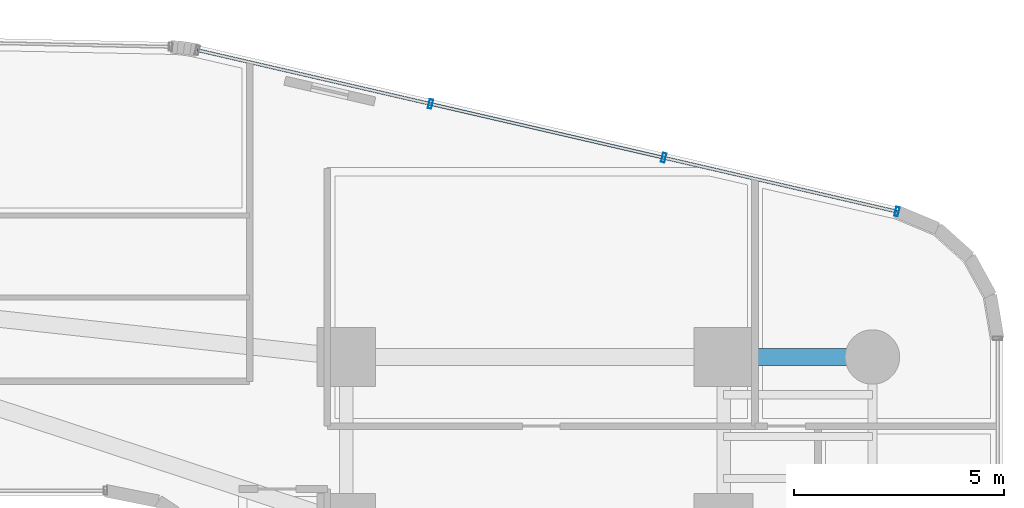
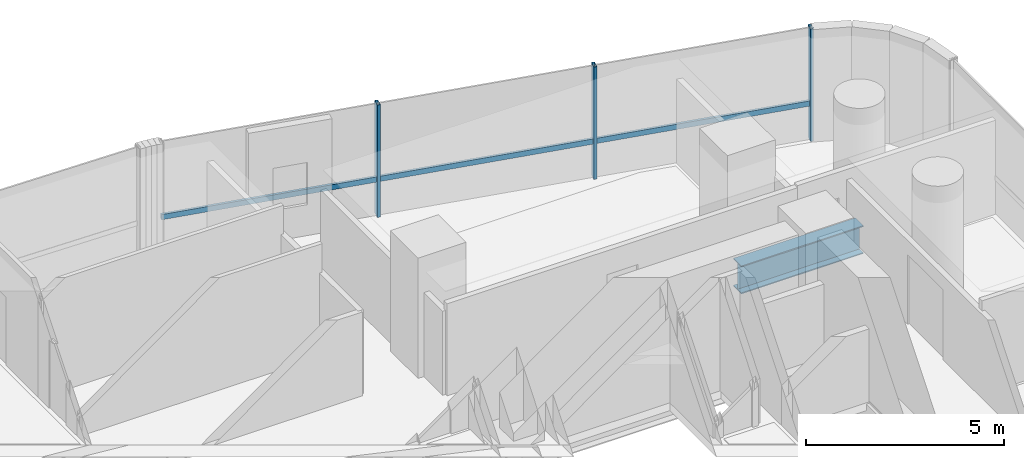
# One storey, part 25 of 41: 4 members, 1 beam, 1 element without a shape of its own.
"""IFC4 building model written with IfcOpenShell, lengths in metres."""

from ifc_helpers import new_model, si_unit, direction, frame, origin, origin_2d, place, context, subcontext, project, spatial, hollow_rectangle, i_section, extrude, source, transform, mapped, material, material_profile, profile_set, type_object, element, aggregate, save


model = new_model("IFC4")

# Units and contexts
model_context = context("Model", 3, precision=1e-05, world=origin(), true_north=direction((0.0, 1.0)))
body_context = subcontext(model_context, "Body", "Model", "MODEL_VIEW")
ifc_project = project(units=[si_unit("LENGTHUNIT", "METRE"), si_unit("AREAUNIT", "SQUARE_METRE"), si_unit("VOLUMEUNIT", "CUBIC_METRE"), si_unit("PLANEANGLEUNIT", "RADIAN"), si_unit("MASSUNIT", "GRAM", prefix="KILO")], contexts=[model_context])

# Site, building, storey
site_placement = place(None, origin())
site = spatial("IfcSite", under=ifc_project, at=site_placement, CompositionType="ELEMENT")
building_placement = place(site_placement, origin())
building = spatial("IfcBuilding", under=site, at=building_placement, Name="Valdorenza Pilgrim Sanctuary Tower", CompositionType="ELEMENT")
storey_placement = place(building_placement, frame((0.0, 0.0, 88.89990234375)))
storey = spatial("IfcBuildingStorey", under=building, at=storey_placement, Name="L22", CompositionType="ELEMENT", Elevation=88.89990234375)

# Beam
ifc_material_1 = material(Name="Steel ASTM A992 Grade 50", Category="steel")
ifc_material_profile_1 = material_profile(ifc_material_1, i_section(OverallWidth=0.39990234375, OverallDepth=0.862060546875, WebThickness=0.019775390625, FlangeThickness=0.032470703125, at=origin_2d()), Name="W33X221")
ifc_profile_set_1 = profile_set([ifc_material_profile_1], Name="Steel ASTM A992 Grade 50")
beam_type = type_object("IfcBeamType", Name="STR-BM-GRD-W33", PredefinedType="BEAM", material=ifc_profile_set_1)
shared_shape_1 = source(origin(), body_context, "Body", "SweptSolid", [
    extrude(i_section(OverallWidth=0.39990234375, OverallDepth=0.862060546875, WebThickness=0.019775390625, FlangeThickness=0.032470703125, at=origin_2d()), origin(), (0.0, 0.0, 1.0), 3.5498046875),
])
beam_placement = place(storey_placement, frame((24.85009765625, 13.5, -0.6708984375), z_axis=(1.0, 0.0, 0.0), x_axis=(0.0, 1.0, 0.0)))
element("IfcBeam", 1, at=beam_placement, inside=storey, type_object=beam_type, Name="L22 Floor Girder WB-XE-N2", PredefinedType="BEAM", context=body_context, shape_type="MappedRepresentation", body=[
    mapped(shared_shape_1, transform((0.0, 0.0, 0.0), x_axis=(1.0, 0.0, 0.0), y_axis=(0.0, 1.0, 0.0), z_axis=(0.0, 0.0, 1.0), scale=1.0)),
])

# Curtain wall, members
ifc_material_2 = material(Name="Curtain-wall IGU glazing", Category="glass")
curtain_wall_type = type_object("IfcCurtainWallType", Name="CW-SYS-03", PredefinedType="NOTDEFINED", material=ifc_material_2)
curtain_wall_placement = place(storey_placement, origin())
curtain_wall = element("IfcCurtainWall", 2, at=curtain_wall_placement, inside=storey, type_object=curtain_wall_type, Name="L22 Curtain Wall CW-L22-1-16", PredefinedType="NOTDEFINED")
ifc_material_3 = material(Name="Anodised aluminium AW-6060", Category="aluminium")
ifc_material_profile_2 = material_profile(ifc_material_3, hollow_rectangle(XDim=0.074951171875, YDim=0.159912109375, WallThickness=0.00390625, at=origin_2d()), Name="ALU-T 160x75x4")
ifc_profile_set_2 = profile_set([ifc_material_profile_2], Name="Anodised aluminium AW-6060")
member_type_1 = type_object("IfcMemberType", Name="CW-TRN-03", PredefinedType="USERDEFINED", material=ifc_profile_set_2)
shared_shape_2 = source(origin(), body_context, "Body", "SweptSolid", [
    extrude(hollow_rectangle(XDim=0.074951171875, YDim=0.159912109375, WallThickness=0.00390625, at=origin_2d()), origin(), (0.0, 0.0, 1.0), 17.125244140625),
])
member_1_placement = place(storey_placement, frame((12.299072265625, 20.818115234375, 1.1201171875), z_axis=(0.974390715149, -0.224861589051, 0.0), x_axis=(0.224861589051, 0.974390715149, 0.0)))
member_1 = element("IfcMember", 3, at=member_1_placement, type_object=member_type_1, Name="CW-L22-1-16 Transom 1", ObjectType="TRANSOM", PredefinedType="USERDEFINED", context=body_context, shape_type="MappedRepresentation", body=[
    mapped(shared_shape_2, transform((0.0, 0.0, 0.0), x_axis=(1.0, 0.0, 0.0), y_axis=(0.0, 1.0, 0.0), z_axis=(0.0, 0.0, 1.0), scale=1.0)),
])
ifc_material_profile_3 = material_profile(ifc_material_3, hollow_rectangle(XDim=0.0849609375, YDim=0.219970703125, WallThickness=0.0048828125, at=origin_2d()), Name="ALU-M 220x85x5")
ifc_profile_set_3 = profile_set([ifc_material_profile_3], Name="Anodised aluminium AW-6060")
member_type_2 = type_object("IfcMemberType", Name="CW-MUL-03", PredefinedType="MULLION", material=ifc_profile_set_3)
shared_shape_3 = source(origin(), body_context, "Body", "SweptSolid", [
    extrude(hollow_rectangle(XDim=0.0849609375, YDim=0.219970703125, WallThickness=0.0048828125, at=origin_2d()), origin(), (0.0, 0.0, 1.0), 3.460205078125),
])
member_2_placement = place(storey_placement, frame((17.861328125, 19.534423828125, 0.0), z_axis=(0.0, 0.0, 1.0), x_axis=(0.974389691758, -0.224866023659, 0.0)))
member_2 = element("IfcMember", 4, at=member_2_placement, type_object=member_type_2, Name="CW-L22-1-16 Mullion 2", PredefinedType="MULLION", context=body_context, shape_type="MappedRepresentation", body=[
    mapped(shared_shape_3, transform((0.0, 0.0, 0.0), x_axis=(1.0, 0.0, 0.0), y_axis=(0.0, 1.0, 0.0), z_axis=(0.0, 0.0, 1.0), scale=1.0)),
])
member_3_placement = place(storey_placement, frame((23.423583984375, 18.2509765625, 0.0), z_axis=(0.0, 0.0, 1.0), x_axis=(0.974389691758, -0.224866023659, 0.0)))
member_3 = element("IfcMember", 5, at=member_3_placement, type_object=member_type_2, Name="CW-L22-1-16 Mullion 3", PredefinedType="MULLION", context=body_context, shape_type="MappedRepresentation", body=[
    mapped(shared_shape_3, transform((0.0, 0.0, 0.0), x_axis=(1.0, 0.0, 0.0), y_axis=(0.0, 1.0, 0.0), z_axis=(0.0, 0.0, 1.0), scale=1.0)),
])
member_4_placement = place(storey_placement, frame((28.98583984375, 16.96728515625, 0.0), z_axis=(0.0, 0.0, 1.0), x_axis=(0.974389691758, -0.224866023659, 0.0)))
member_4 = element("IfcMember", 6, at=member_4_placement, type_object=member_type_2, Name="CW-L22-1-16 Mullion 4", PredefinedType="MULLION", context=body_context, shape_type="MappedRepresentation", body=[
    mapped(shared_shape_3, transform((0.0, 0.0, 0.0), x_axis=(1.0, 0.0, 0.0), y_axis=(0.0, 1.0, 0.0), z_axis=(0.0, 0.0, 1.0), scale=1.0)),
])
aggregate(curtain_wall, [member_2, member_3, member_4, member_1])

save(model, "model.ifc")
